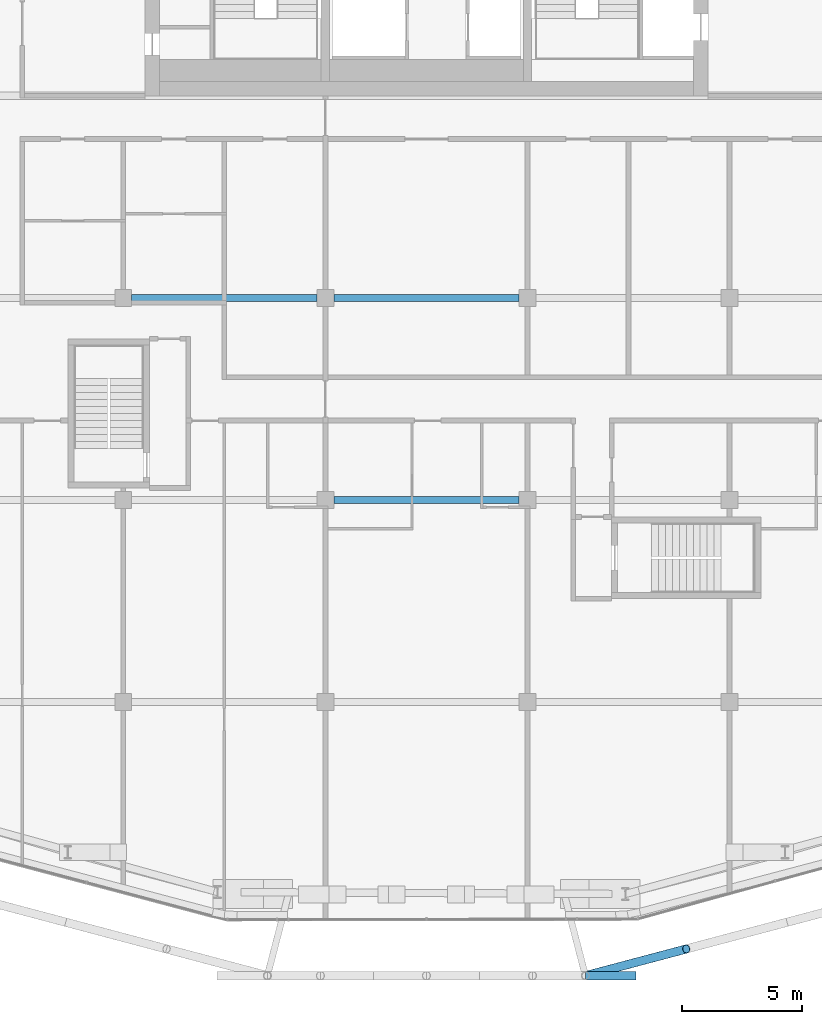
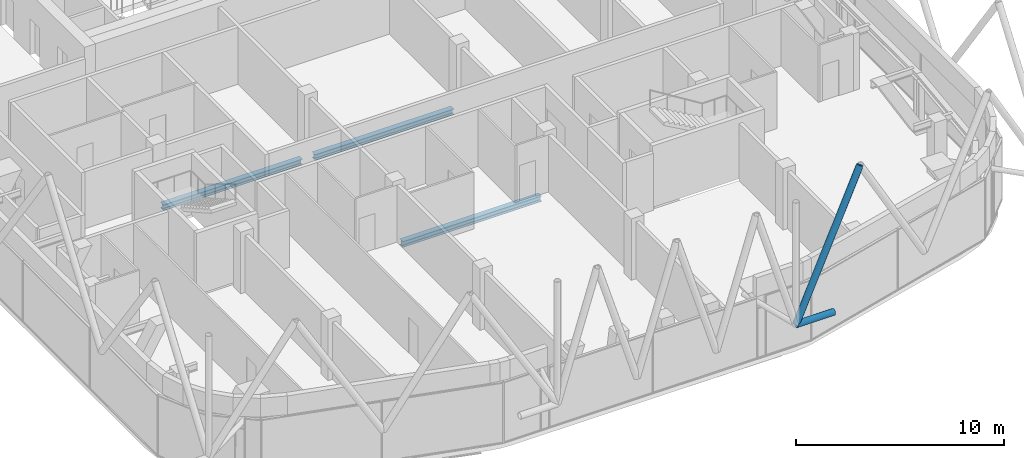
# One storey, part 5 of 25: 3 beams, 2 members.
"""IFC4 building model written with IfcOpenShell, lengths in metres."""

from ifc_helpers import new_model, si_unit, direction, frame, origin, origin_2d, place, context, subcontext, project, spatial, hollow_circle, i_section, extrude, material, material_profile, profile_set, type_object, element, save


model = new_model("IFC4")

# Units and contexts
model_context = context("Model", 3, precision=1e-05, world=origin(), true_north=direction((0.0, 1.0)))
body_context = subcontext(model_context, "Body", "Model", "MODEL_VIEW")
ifc_project = project(units=[si_unit("LENGTHUNIT", "METRE"), si_unit("AREAUNIT", "SQUARE_METRE"), si_unit("VOLUMEUNIT", "CUBIC_METRE"), si_unit("PLANEANGLEUNIT", "RADIAN"), si_unit("MASSUNIT", "GRAM", prefix="KILO")], contexts=[model_context])

# Site, building, storey
site_placement = place(None, origin())
site = spatial("IfcSite", under=ifc_project, at=site_placement, CompositionType="ELEMENT")
building_placement = place(site_placement, origin())
building = spatial("IfcBuilding", under=site, at=building_placement, Name="Marenta Gate Hotel Tower", CompositionType="ELEMENT")
storey_placement = place(building_placement, frame((0.0, 0.0, 277.699951171875)))
storey = spatial("IfcBuildingStorey", under=building, at=storey_placement, Name="L64", CompositionType="ELEMENT", Elevation=277.699951171875)

# Member
ifc_material_1 = material(Name="Steel S355J2W", Category="steel")
ifc_material_profile_1 = material_profile(ifc_material_1, hollow_circle(Radius=0.177734375, WallThickness=0.01611328125, at=origin_2d()), Name="CHS 355.6x16")
ifc_profile_set_1 = profile_set([ifc_material_profile_1], Name="Steel S355J2W")
member_type_1 = type_object("IfcMemberType", Name="Diagrid diagonal C CHS 355.6x16", PredefinedType="BRACE", material=ifc_profile_set_1)
member_1_placement = place(storey_placement, frame((6.60888671875, -36.570068359375, 3.14013671875), z_axis=(0.498595291069, 0.13228868303, 0.856681060878), x_axis=(-0.256449730421, 0.966557569815, 0.0)))
element("IfcMember", 1, at=member_1_placement, inside=storey, type_object=member_type_1, Name="L64-DG-14", PredefinedType="BRACE", context=body_context, shape_type="SweptSolid", body=[
    extrude(hollow_circle(Radius=0.177734375, WallThickness=0.01611328125, at=origin_2d()), origin(), (0.0, 0.0, 1.0), 8.404541015625),
])

# Beams
ifc_material_2 = material(Name="Steel S355", Category="steel")
ifc_material_profile_2 = material_profile(ifc_material_2, i_section(OverallWidth=0.300048828125, OverallDepth=0.340087890625, WebThickness=0.011962890625, FlangeThickness=0.021484375, FilletRadius=0.027099609375, at=origin_2d()), Name="HEB 340")
ifc_profile_set_2 = profile_set([ifc_material_profile_2], Name="Steel S355")
beam_type = type_object("IfcBeamType", Name="Girder HEB 340", PredefinedType="BEAM", material=ifc_profile_set_2)
beam_1_placement = place(storey_placement, frame((-3.85009765625, -16.800048828125, -0.429931640625), z_axis=(1.0, 0.0, 0.0), x_axis=(0.0, 1.0, 0.0)))
element("IfcBeam", 2, at=beam_1_placement, inside=storey, type_object=beam_type, Name="L64-GD-8", PredefinedType="BEAM", context=body_context, shape_type="SweptSolid", body=[
    extrude(i_section(OverallWidth=0.300048828125, OverallDepth=0.340087890625, WebThickness=0.011962890625, FlangeThickness=0.021484375, FilletRadius=0.027099609375, at=origin_2d()), origin(), (0.0, 0.0, 1.0), 7.7001953125),
])
beam_2_placement = place(storey_placement, frame((-12.25, -8.39990234375, -0.429931640625), z_axis=(1.0, 0.0, 0.0), x_axis=(0.0, 1.0, 0.0)))
element("IfcBeam", 3, at=beam_2_placement, inside=storey, type_object=beam_type, Name="L64-GD-12", PredefinedType="BEAM", context=body_context, shape_type="SweptSolid", body=[
    extrude(i_section(OverallWidth=0.300048828125, OverallDepth=0.340087890625, WebThickness=0.011962890625, FlangeThickness=0.021484375, FilletRadius=0.027099609375, at=origin_2d()), origin(), (0.0, 0.0, 1.0), 7.699951171875),
])
beam_3_placement = place(storey_placement, frame((-3.85009765625, -8.39990234375, -0.429931640625), z_axis=(1.0, 0.0, 0.0), x_axis=(0.0, 1.0, 0.0)))
element("IfcBeam", 4, at=beam_3_placement, inside=storey, type_object=beam_type, Name="L64-GD-13", PredefinedType="BEAM", context=body_context, shape_type="SweptSolid", body=[
    extrude(i_section(OverallWidth=0.300048828125, OverallDepth=0.340087890625, WebThickness=0.011962890625, FlangeThickness=0.021484375, FilletRadius=0.027099609375, at=origin_2d()), origin(), (0.0, 0.0, 1.0), 7.7001953125),
])

# Member
ifc_material_3 = material(Name="Steel S355J2W", Category="steel")
ifc_material_profile_3 = material_profile(ifc_material_3, hollow_circle(Radius=0.177734375, WallThickness=0.01611328125, at=origin_2d()), Name="CHS 355.6x16")
ifc_profile_set_3 = profile_set([ifc_material_profile_3], Name="Steel S355J2W")
member_type_2 = type_object("IfcMemberType", Name="Setback strut CHS 355.6x16", PredefinedType="STRUT", material=ifc_profile_set_3)
member_2_placement = place(storey_placement, frame((8.708984375, -36.570068359375, 3.14013671875), z_axis=(-1.0, 0.0, 0.0), x_axis=(0.0, -1.0, 0.0)))
element("IfcMember", 5, at=member_2_placement, inside=storey, type_object=member_type_2, Name="L64-DR-3", PredefinedType="STRUT", context=body_context, shape_type="SweptSolid", body=[
    extrude(hollow_circle(Radius=0.177734375, WallThickness=0.01611328125, at=origin_2d()), origin(), (0.0, 0.0, 1.0), 2.10009765625),
])

save(model, "model.ifc")
